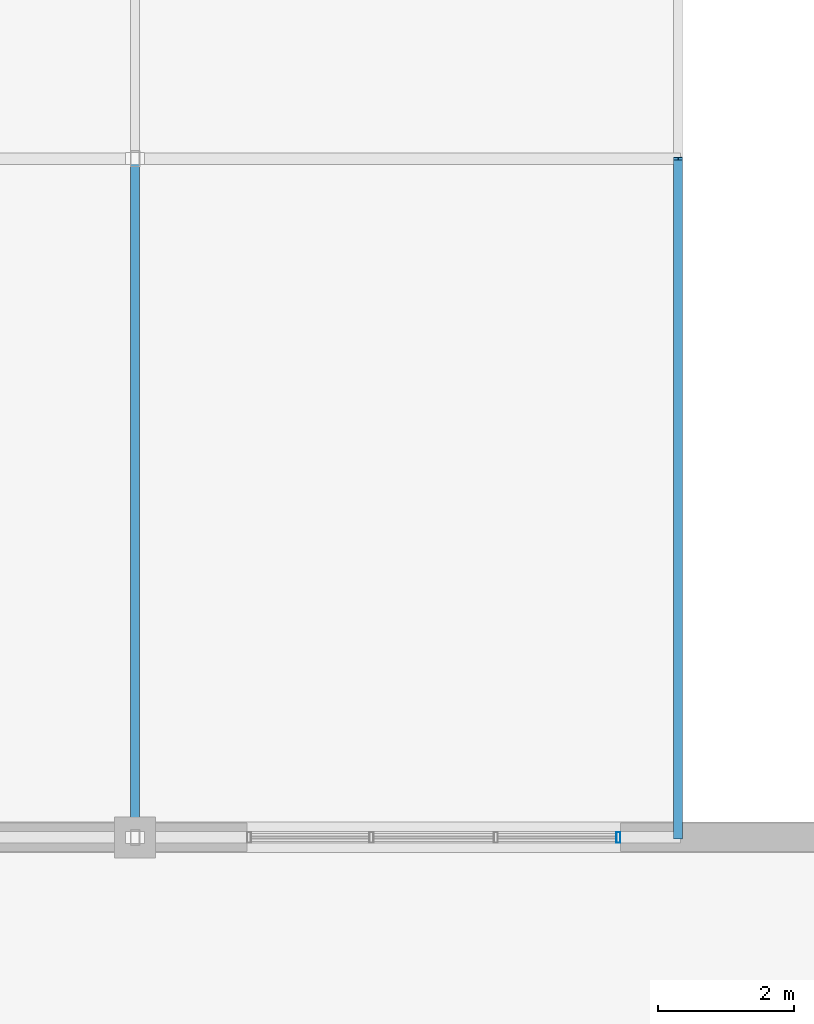
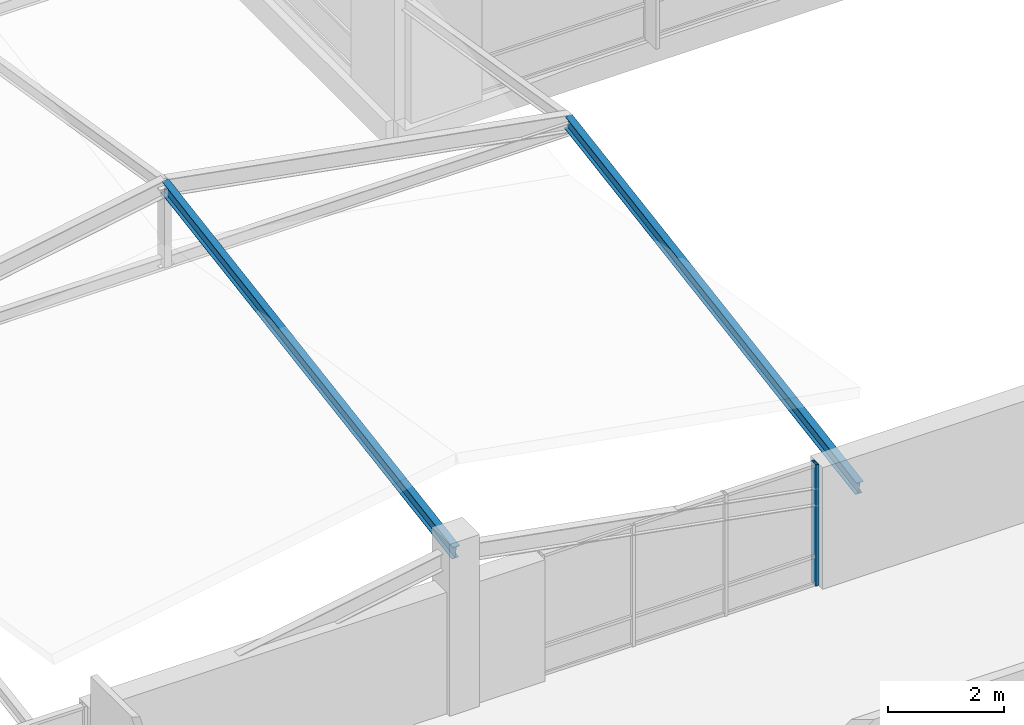
# One storey, part 87 of 189: 3 members, 1 element without a shape of its own.
"""IFC4 building model written with IfcOpenShell, lengths in metres."""

from ifc_helpers import new_model, si_unit, direction, frame, origin, origin_2d, place, context, subcontext, project, spatial, hollow_rectangle, i_section, extrude, material, material_profile, profile_set, type_object, element, aggregate, save


model = new_model("IFC4")

# Units and contexts
model_context = context("Model", 3, precision=1e-05, world=origin(), true_north=direction((0.0, 1.0)))
body_context = subcontext(model_context, "Body", "Model", "MODEL_VIEW")
ifc_project = project(units=[si_unit("LENGTHUNIT", "METRE"), si_unit("AREAUNIT", "SQUARE_METRE"), si_unit("VOLUMEUNIT", "CUBIC_METRE"), si_unit("PLANEANGLEUNIT", "RADIAN"), si_unit("MASSUNIT", "GRAM", prefix="KILO")], contexts=[model_context])

# Site, building, storey
site_placement = place(None, origin())
site = spatial("IfcSite", under=ifc_project, at=site_placement, CompositionType="ELEMENT")
building_placement = place(site_placement, origin())
building = spatial("IfcBuilding", under=site, at=building_placement, Name="Zavelmont Quarter", CompositionType="ELEMENT")
storey_placement = place(building_placement, frame((0.0, 0.0, 4.39990234375)))
storey = spatial("IfcBuildingStorey", under=building, at=storey_placement, Name="L01", CompositionType="ELEMENT", Elevation=4.39990234375)

# Curtain wall, member
ifc_material_1 = material(Name="Thermally broken aluminium and double low-E safety glazing", Category="aluminium")
curtain_wall_type = type_object("IfcCurtainWallType", Name="CW-550X254", PredefinedType="NOTDEFINED", material=ifc_material_1)
curtain_wall_placement = place(storey_placement, origin())
curtain_wall = element("IfcCurtainWall", 1, at=curtain_wall_placement, inside=storey, type_object=curtain_wall_type, Name="L01 unitised curtain wall CW-550X254", PredefinedType="NOTDEFINED")
ifc_material_2 = material(Name="Powder-coated aluminium EN AW-6063-T6", Category="aluminium")
ifc_material_profile_1 = material_profile(ifc_material_2, hollow_rectangle(XDim=0.06005859375, YDim=0.159912109375, WallThickness=0.00390625, at=origin_2d()), Name="CWM60X160")
ifc_profile_set_1 = profile_set([ifc_material_profile_1], Name="Powder-coated aluminium EN AW-6063-T6")
member_type_1 = type_object("IfcMemberType", Name="CWM01", PredefinedType="MULLION", material=ifc_profile_set_1)
member_placement = place(storey_placement, frame((91.1201171875, 86.0, 0.0), z_axis=(0.0, 0.0, 1.0), x_axis=(1.0, 0.0, 0.0)))
member = element("IfcMember", 2, at=member_placement, type_object=member_type_1, Name="CW-550X254 mullion 4", PredefinedType="MULLION", context=body_context, shape_type="SweptSolid", body=[
    extrude(hollow_rectangle(XDim=0.06005859375, YDim=0.159912109375, WallThickness=0.00390625, at=origin_2d()), origin(), (0.0, 0.0, 1.0), 2.545166015625),
])
aggregate(curtain_wall, [member])

# Members
ifc_material_3 = material(Name="Steel S355", Category="steel")
ifc_material_profile_2 = material_profile(ifc_material_3, i_section(OverallWidth=0.135009765625, OverallDepth=0.27001953125, WebThickness=0.006591796875, FlangeThickness=0.01025390625, at=origin_2d()), Name="IPE 270")
ifc_profile_set_2 = profile_set([ifc_material_profile_2], Name="Steel S355")
member_type_2 = type_object("IfcMemberType", Name="PR01", PredefinedType="PURLIN", material=ifc_profile_set_2)
for number, where, z_axis, x_axis, name in (
    (3, (92.0, 86.0, 1.7001953125), (0.0, 0.987132736639, 0.159902971377), (-1.0, 0.0, 0.0), "L01 member PR01 14/N to 14/P"),
    (4, (84.0, 86.0, 3.150146484375), (0.0, 0.987132736639, 0.159902971377), (-1.0, 0.0, 0.0), "L01 member PR01 13/N to 13/P"),
):
    element("IfcMember", number, at=place(storey_placement, frame(where, z_axis=z_axis, x_axis=x_axis)), inside=storey, type_object=member_type_2, Name=name, PredefinedType="PURLIN", context=body_context, shape_type="SweptSolid", body=[
        extrude(i_section(OverallWidth=0.135009765625, OverallDepth=0.27001953125, WebThickness=0.006591796875, FlangeThickness=0.01025390625, at=origin_2d()), origin(), (0.0, 0.0, 1.0), 10.13037109375),
    ])

save(model, "model.ifc")
